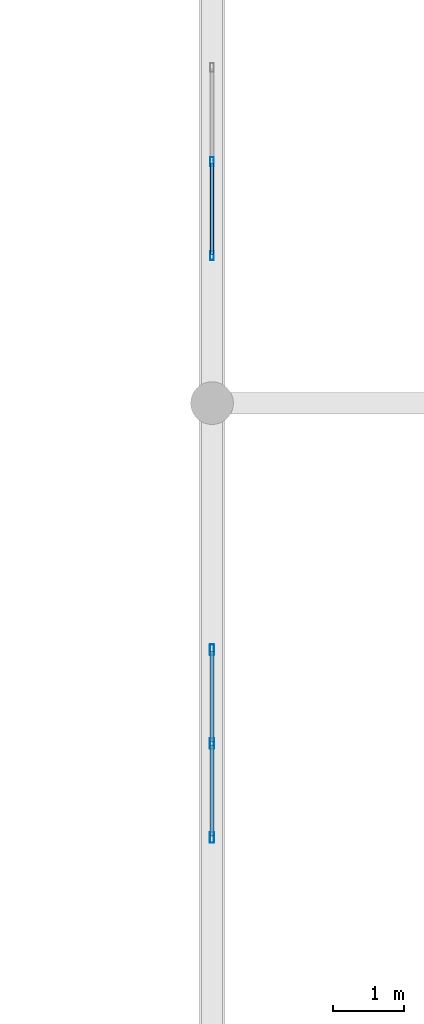
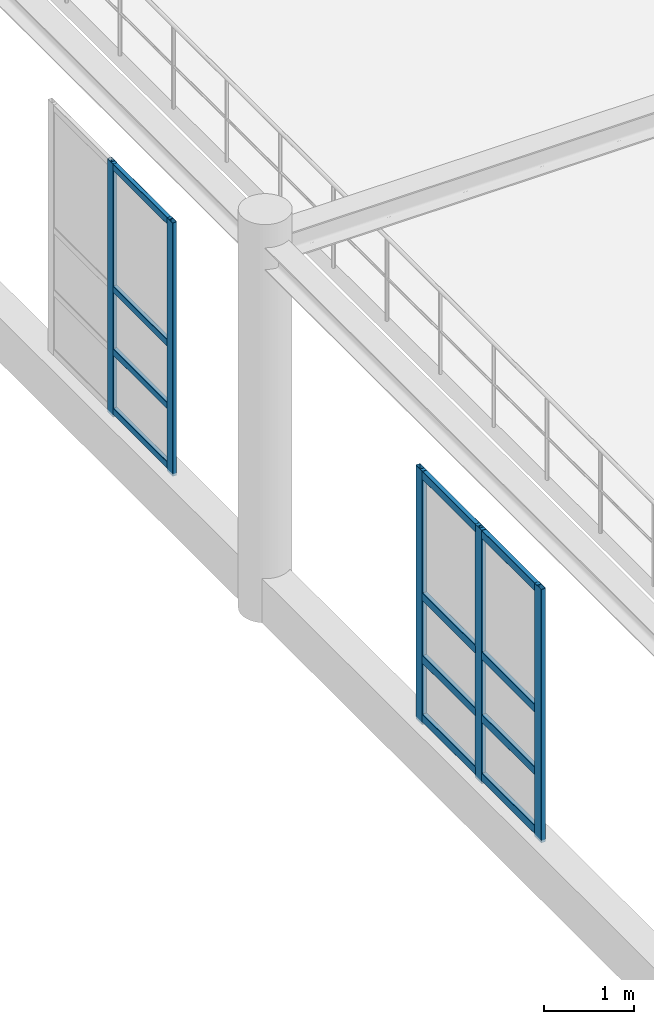
# One storey, part 72 of 197: 17 members, 2 elements without a shape of their own.
"""IFC4 building model written with IfcOpenShell, lengths in metres."""

import ifcopenshell
import ifcopenshell.guid

model = None  # the IFC model being written
_history = None  # IfcOwnerHistory: only IFC2X3 demands one
_inside = {}  # id of a spatial element -> (the spatial element, [elements in it])
_under = {}  # id of a project, library or spatial element -> (it, [spatial elements below it])
_declared = {}  # id of a project -> (the project, [libraries it declares])
_typed = {}  # id of a type object -> (the type object, [elements of that type])
_made_of = {}  # id of a material, layer set ... -> (it, [elements and type objects made of it])


def new_model(schema):
    """Start an empty IFC model of exactly this schema.

    Asked for "IFC4X3", IfcOpenShell would pick the latest addendum, in which some entities
    have other attributes; the version numbers below select the first issue.
    IFC2X3 requires an IfcOwnerHistory on every rooted entity: one is made here for all.
    """
    global model, _history
    if schema == "IFC4X3":
        model = ifcopenshell.file(schema_version=(4, 3, 0, 0))
    else:
        model = ifcopenshell.file(schema=schema)
    _inside.clear()
    _under.clear()
    _declared.clear()
    _typed.clear()
    _made_of.clear()
    _history = None
    if model.schema == "IFC2X3":
        org = make("IfcOrganization", Name="unknown")
        user = make(
            "IfcPersonAndOrganization",
            ThePerson=make("IfcPerson", FamilyName="unknown"),
            TheOrganization=org,
        )
        app = make(
            "IfcApplication",
            ApplicationDeveloper=org,
            Version="unknown",
            ApplicationFullName="unknown",
            ApplicationIdentifier="unknown",
        )
        _history = make(
            "IfcOwnerHistory",
            OwningUser=user,
            OwningApplication=app,
            ChangeAction="ADDED",
            CreationDate=0,
        )
    return model


def make(cls, **values):
    """One entity of the class cls with the attributes given. An attribute that is None is left unset."""
    return model.create_entity(
        cls, **{name: value for name, value in values.items() if value is not None}
    )


def rooted(cls, **values):
    """An entity with a GlobalId (a new one), such as an element, a storey or a relation."""
    return make(cls, GlobalId=ifcopenshell.guid.new(), OwnerHistory=_history, **values)


def si_unit(unit_type, name, prefix=None):
    """IfcSIUnit, for example si_unit("LENGTHUNIT", "METRE", prefix="MILLI")."""
    return make("IfcSIUnit", UnitType=unit_type, Prefix=prefix, Name=name)


def derived_unit(unit_type, elements):
    """IfcDerivedUnit: a product of units, each with its exponent."""
    return make(
        "IfcDerivedUnit",
        Elements=[
            make("IfcDerivedUnitElement", Unit=unit, Exponent=power)
            for unit, power in elements
        ],
        UnitType=unit_type,
    )


def assignment(units):
    """IfcUnitAssignment: the units of a project."""
    return None if units is None else make("IfcUnitAssignment", Units=units)


def point(xyz):
    """IfcCartesianPoint."""
    return None if xyz is None else make("IfcCartesianPoint", Coordinates=xyz)


def direction(xyz):
    """IfcDirection."""
    return None if xyz is None else make("IfcDirection", DirectionRatios=xyz)


def frame(location, z_axis=None, x_axis=None):
    """IfcAxis2Placement3D, a coordinate frame: its origin and axes. An axis left out is left unset."""
    return make(
        "IfcAxis2Placement3D",
        Location=point(location),
        Axis=direction(z_axis),
        RefDirection=direction(x_axis),
    )


def frame_2d(location, x_axis=None):
    """IfcAxis2Placement2D, a coordinate frame in the plane: its origin and x axis."""
    return make(
        "IfcAxis2Placement2D", Location=point(location), RefDirection=direction(x_axis)
    )


def origin():
    """The frame at (0, 0, 0) with its axes left unset."""
    return frame((0.0, 0.0, 0.0))


def origin_2d():
    """The frame at (0, 0) in the plane with its x axis left unset."""
    return frame_2d((0.0, 0.0))


def place(relative_to, where):
    """IfcLocalPlacement: puts the frame where relative to a parent placement (None: the world)."""
    return make(
        "IfcLocalPlacement", PlacementRelTo=relative_to, RelativePlacement=where
    )


def context(
    kind, dimensions, precision=None, world=None, true_north=None, identifier=None
):
    """IfcGeometricRepresentationContext, for example the 3D "Model" context."""
    return make(
        "IfcGeometricRepresentationContext",
        ContextIdentifier=identifier,
        ContextType=kind,
        CoordinateSpaceDimension=dimensions,
        Precision=precision,
        WorldCoordinateSystem=world,
        TrueNorth=true_north,
    )


def subcontext(parent, identifier, kind, view, scale=None):
    """IfcGeometricRepresentationSubContext, for example "Body" below "Model"."""
    return make(
        "IfcGeometricRepresentationSubContext",
        ContextIdentifier=identifier,
        ContextType=kind,
        ParentContext=parent,
        TargetScale=scale,
        TargetView=view,
    )


def project(units=None, contexts=None):
    """IfcProject with its units and contexts."""
    return rooted(
        "IfcProject",
        Name="project",
        RepresentationContexts=contexts,
        UnitsInContext=assignment(units),
    )


def spatial(cls, under=None, at=None, **own):
    """A site, building, storey or space (cls), placed at a placement, below another one or the project."""
    s = rooted(cls, ObjectPlacement=at, **own)
    if under is not None:
        _under.setdefault(under.id(), (under, []))[1].append(s)
    return s


def profile(cls, at=None, kind="AREA", **sizes):
    """A parametric profile (cls). Its sizes go by their IFC names, for example OverallWidth=200.0."""
    return make(cls, ProfileType=kind, Position=at, **sizes)


def hollow_rectangle(**sizes):
    """IfcRectangleHollowProfileDef."""
    return profile("IfcRectangleHollowProfileDef", **sizes)


def extrude(swept, where, along, depth):
    """IfcExtrudedAreaSolid: the profile swept, set in the frame where, extruded along a direction by depth."""
    return make(
        "IfcExtrudedAreaSolid",
        SweptArea=swept,
        Position=where,
        ExtrudedDirection=direction(along),
        Depth=depth,
    )


def shape(context_of_items, identifier, shape_type, items):
    """IfcShapeRepresentation: the items that make up one representation, for example the "Body"."""
    return make(
        "IfcShapeRepresentation",
        ContextOfItems=context_of_items,
        RepresentationIdentifier=identifier,
        RepresentationType=shape_type,
        Items=items,
    )


def material(Name=None, Category=None):
    """IfcMaterial."""
    return make("IfcMaterial", Name=Name, Category=Category)


def layer(
    of_material, thickness, ventilated=None, Name=None, Category=None, Priority=None
):
    """IfcMaterialLayer: one layer of a wall or slab, of a material (None: an air gap)."""
    return make(
        "IfcMaterialLayer",
        Material=of_material,
        LayerThickness=thickness,
        IsVentilated=ventilated,
        Name=Name,
        Category=Category,
        Priority=Priority,
    )


def layer_set(layers, Name=None):
    """IfcMaterialLayerSet."""
    return make("IfcMaterialLayerSet", MaterialLayers=layers, LayerSetName=Name)


def material_profile(
    of_material, cross_section, Name=None, Category=None, Priority=None
):
    """IfcMaterialProfile: a cross section and its material."""
    return make(
        "IfcMaterialProfile",
        Name=Name,
        Material=of_material,
        Profile=cross_section,
        Priority=Priority,
        Category=Category,
    )


def profile_set(profiles, Name=None, composite=None):
    """IfcMaterialProfileSet."""
    return make(
        "IfcMaterialProfileSet",
        Name=Name,
        MaterialProfiles=profiles,
        CompositeProfile=composite,
    )


def made_of(thing, what):
    """Note that an element or type object is made of a material, layer set ...; save() writes the relation."""
    if what is not None:
        _made_of.setdefault(what.id(), (what, []))[1].append(thing)
    return thing


def type_object(cls, material=None, **own):
    """A type object (cls), such as IfcWallType, which elements share."""
    return made_of(rooted(cls, **own), material)


def element(
    cls,
    number,
    at=None,
    inside=None,
    cuts=None,
    type_object=None,
    material=None,
    context=None,
    identifier="Body",
    shape_type=None,
    held_by="IfcProductDefinitionShape",
    body=None,
    shapes=None,
    **own,
):
    """One element of the class cls, such as IfcWall. Its Tag is "e" and its number.

    at: its placement. inside: the storey or other place that contains it. cuts: it is an
    opening in that element (IfcRelVoidsElement). A single representation is given by context,
    identifier, shape_type and body (its items); several are given by shapes. held_by: the class
    of the entity that holds the representations. save() writes the other relations.
    """
    e = rooted(cls, Tag="e%d" % number, ObjectPlacement=at, **own)
    if body is not None:
        shapes = [shape(context, identifier, shape_type, body)]
    if shapes is not None:
        e.Representation = make(held_by, Representations=shapes)
    if inside is not None:
        _inside.setdefault(inside.id(), (inside, []))[1].append(e)
    if cuts is not None:
        rooted(
            "IfcRelVoidsElement", RelatingBuildingElement=cuts, RelatedOpeningElement=e
        )
    if type_object is not None:
        _typed.setdefault(type_object.id(), (type_object, []))[1].append(e)
    return made_of(e, material)


def aggregate(whole, parts):
    """IfcRelAggregates: a whole, such as a stair, and the parts it consists of."""
    return rooted("IfcRelAggregates", RelatingObject=whole, RelatedObjects=parts)


def save(model, path):
    """Write the relations noted so far, then the file.

    IfcRelAggregates (storeys below a building ...), IfcRelContainedInSpatialStructure (elements
    in a storey), IfcRelDefinesByType, IfcRelAssociatesMaterial and IfcRelDeclares: one each for
    every whole, place, type object, material and project.
    """
    for whole, parts in _under.values():
        aggregate(whole, parts)
    for where, things in _inside.values():
        rooted(
            "IfcRelContainedInSpatialStructure",
            RelatedElements=things,
            RelatingStructure=where,
        )
    for kind, things in _typed.values():
        rooted("IfcRelDefinesByType", RelatedObjects=things, RelatingType=kind)
    for what, things in _made_of.values():
        rooted("IfcRelAssociatesMaterial", RelatedObjects=things, RelatingMaterial=what)
    for by, libraries in _declared.values():
        rooted("IfcRelDeclares", RelatingContext=by, RelatedDefinitions=libraries)
    model.write(path)


model = new_model("IFC4")

# Units and contexts
model_context = context("Model", 3, precision=1e-05, world=origin(), true_north=direction((0.0, 1.0)))
body_context = subcontext(model_context, "Body", "Model", "MODEL_VIEW")
ifc_project = project(units=[si_unit("LENGTHUNIT", "METRE"), si_unit("AREAUNIT", "SQUARE_METRE"), si_unit("VOLUMEUNIT", "CUBIC_METRE"), si_unit("PLANEANGLEUNIT", "RADIAN"), si_unit("MASSUNIT", "GRAM", prefix="KILO"), derived_unit("THERMALTRANSMITTANCEUNIT", [(si_unit("POWERUNIT", "WATT"), 1), (si_unit("LENGTHUNIT", "METRE"), -2), (si_unit("THERMODYNAMICTEMPERATUREUNIT", "KELVIN"), -1)])], contexts=[model_context])

# Site, building, storey
site_placement = place(None, origin())
site = spatial("IfcSite", under=ifc_project, at=site_placement, CompositionType="ELEMENT")
building_placement = place(site_placement, origin())
building = spatial("IfcBuilding", under=site, at=building_placement, Name="Almenara Railside Exhibition Hall", CompositionType="ELEMENT")
storey_placement = place(building_placement, frame((0.0, 0.0, 5.39990234375)))
storey = spatial("IfcBuildingStorey", under=building, at=storey_placement, Name="L01", CompositionType="ELEMENT", Elevation=5.39990234375)

# Curtain wall, members
ifc_material_1 = material(Name="Bronze-anodised aluminium and low-E double glazing", Category="aluminium")
ifc_layer = layer(ifc_material_1, 0.179931640625, Name="Bronze-anodised aluminium and low-E double glazing")
ifc_layer_set = layer_set([ifc_layer], Name="Bronze-anodised aluminium and low-E double glazing")
curtain_wall_type = type_object("IfcCurtainWallType", Name="Courtyard South Galeria Curtain Wall 2700x3400", PredefinedType="NOTDEFINED", material=ifc_layer_set)
curtain_wall_1_placement = place(storey_placement, origin())
curtain_wall_1 = element("IfcCurtainWall", 1, at=curtain_wall_1_placement, inside=storey, type_object=curtain_wall_type, Name="Curtain wall CW-CY3-150", PredefinedType="NOTDEFINED")
ifc_material_2 = material(Name="Bronze-anodised aluminium", Category="aluminium")
ifc_material_profile_1 = material_profile(ifc_material_2, hollow_rectangle(XDim=0.054931640625, YDim=0.125, WallThickness=0.0029296875, InnerFilletRadius=0.0029296875, OuterFilletRadius=0.006103515625, at=origin_2d()), Name="ALU-MUL 55x125x3")
ifc_profile_set_1 = profile_set([ifc_material_profile_1], Name="Bronze-anodised aluminium")
member_type_1 = type_object("IfcMemberType", Name="Curtain Wall Mullion 55x125x3", PredefinedType="MULLION", material=ifc_profile_set_1)
member_1_placement = place(storey_placement, frame((120.0, 74.072998046875, 0.565185546875), z_axis=(0.0, 0.0, 1.0), x_axis=(-1.0, 0.0, 0.0)))
member_1 = element("IfcMember", 2, at=member_1_placement, type_object=member_type_1, Name="CW-CY3-150 mullion 1", PredefinedType="MULLION", context=body_context, shape_type="SweptSolid", body=[
    extrude(hollow_rectangle(XDim=0.054931640625, YDim=0.125, WallThickness=0.0029296875, InnerFilletRadius=0.0029296875, OuterFilletRadius=0.006103515625, at=origin_2d()), origin(), (0.0, 0.0, 1.0), 3.434814453125),
])
member_2_placement = place(storey_placement, frame((120.0, 75.3955078125, 0.565185546875), z_axis=(0.0, 0.0, 1.0), x_axis=(-1.0, 0.0, 0.0)))
member_2 = element("IfcMember", 3, at=member_2_placement, type_object=member_type_1, Name="CW-CY3-150 mullion 2", PredefinedType="MULLION", context=body_context, shape_type="SweptSolid", body=[
    extrude(hollow_rectangle(XDim=0.054931640625, YDim=0.125, WallThickness=0.0029296875, InnerFilletRadius=0.0029296875, OuterFilletRadius=0.006103515625, at=origin_2d()), origin(), (0.0, 0.0, 1.0), 3.434814453125),
])

curtain_wall_2_placement = place(storey_placement, origin())
curtain_wall_2 = element("IfcCurtainWall", 4, at=curtain_wall_2_placement, inside=storey, type_object=curtain_wall_type, Name="Curtain wall CW-CY3-149", PredefinedType="NOTDEFINED")
ifc_material_profile_2 = material_profile(ifc_material_2, hollow_rectangle(XDim=0.06005859375, YDim=0.14990234375, WallThickness=0.00341796875, InnerFilletRadius=0.00341796875, OuterFilletRadius=0.007080078125, at=origin_2d()), Name="ALU-MUL 60x150x3.5")
ifc_profile_set_2 = profile_set([ifc_material_profile_2], Name="Bronze-anodised aluminium")
member_type_2 = type_object("IfcMemberType", Name="Curtain Wall Mullion 60x150x3.5", PredefinedType="MULLION", material=ifc_profile_set_2)
member_3_placement = place(storey_placement, frame((120.0, 65.8935546875, 0.565185546875), z_axis=(0.0, 0.0, 1.0), x_axis=(-1.0, 0.0, 0.0)))
member_3 = element("IfcMember", 5, at=member_3_placement, type_object=member_type_2, Name="CW-CY3-149 mullion 1", PredefinedType="MULLION", context=body_context, shape_type="SweptSolid", body=[
    extrude(hollow_rectangle(XDim=0.06005859375, YDim=0.14990234375, WallThickness=0.00341796875, InnerFilletRadius=0.00341796875, OuterFilletRadius=0.007080078125, at=origin_2d()), origin(), (0.0, 0.0, 1.0), 3.434814453125),
])
member_4_placement = place(storey_placement, frame((120.0, 67.213623046875, 0.565185546875), z_axis=(0.0, 0.0, 1.0), x_axis=(-1.0, 0.0, 0.0)))
member_4 = element("IfcMember", 6, at=member_4_placement, type_object=member_type_2, Name="CW-CY3-149 mullion 2", PredefinedType="MULLION", context=body_context, shape_type="SweptSolid", body=[
    extrude(hollow_rectangle(XDim=0.06005859375, YDim=0.14990234375, WallThickness=0.00341796875, InnerFilletRadius=0.00341796875, OuterFilletRadius=0.007080078125, at=origin_2d()), origin(), (0.0, 0.0, 1.0), 3.434814453125),
])
member_5_placement = place(storey_placement, frame((120.0, 68.53369140625, 0.565185546875), z_axis=(0.0, 0.0, 1.0), x_axis=(-1.0, 0.0, 0.0)))
member_5 = element("IfcMember", 7, at=member_5_placement, type_object=member_type_2, Name="CW-CY3-149 mullion 3", PredefinedType="MULLION", context=body_context, shape_type="SweptSolid", body=[
    extrude(hollow_rectangle(XDim=0.06005859375, YDim=0.14990234375, WallThickness=0.00341796875, InnerFilletRadius=0.00341796875, OuterFilletRadius=0.007080078125, at=origin_2d()), origin(), (0.0, 0.0, 1.0), 3.434814453125),
])

# Member
ifc_material_profile_3 = material_profile(ifc_material_2, hollow_rectangle(XDim=0.054931640625, YDim=0.090087890625, WallThickness=0.0029296875, InnerFilletRadius=0.0029296875, OuterFilletRadius=0.006103515625, at=origin_2d()), Name="ALU-TRN 55x90x3")
ifc_profile_set_3 = profile_set([ifc_material_profile_3], Name="Bronze-anodised aluminium")
member_type_3 = type_object("IfcMemberType", Name="Curtain Wall Transom 55x90x3", PredefinedType="USERDEFINED", material=ifc_profile_set_3)
member_6_placement = place(storey_placement, frame((120.0, 74.092529296875, 0.64501953125), z_axis=(0.0, 1.0, 0.0), x_axis=(-1.0, 0.0, 0.0)))
member_6 = element("IfcMember", 8, at=member_6_placement, type_object=member_type_3, Name="CW-CY3-150 transom 1.1", ObjectType="TRANSOM", PredefinedType="USERDEFINED", context=body_context, shape_type="SweptSolid", body=[
    extrude(hollow_rectangle(XDim=0.054931640625, YDim=0.090087890625, WallThickness=0.0029296875, InnerFilletRadius=0.0029296875, OuterFilletRadius=0.006103515625, at=origin_2d()), origin(), (0.0, 0.0, 1.0), 1.283447265625),
])

member_7_placement = place(storey_placement, frame((120.0, 74.092529296875, 1.4501953125), z_axis=(0.0, 1.0, 0.0), x_axis=(-1.0, 0.0, 0.0)))
member_7 = element("IfcMember", 9, at=member_7_placement, type_object=member_type_3, Name="CW-CY3-150 transom 1.2", ObjectType="TRANSOM", PredefinedType="USERDEFINED", context=body_context, shape_type="SweptSolid", body=[
    extrude(hollow_rectangle(XDim=0.054931640625, YDim=0.090087890625, WallThickness=0.0029296875, InnerFilletRadius=0.0029296875, OuterFilletRadius=0.006103515625, at=origin_2d()), origin(), (0.0, 0.0, 1.0), 1.283447265625),
])

member_8_placement = place(storey_placement, frame((120.0, 74.092529296875, 2.300048828125), z_axis=(0.0, 1.0, 0.0), x_axis=(-1.0, 0.0, 0.0)))
member_8 = element("IfcMember", 10, at=member_8_placement, type_object=member_type_3, Name="CW-CY3-150 transom 1.3", ObjectType="TRANSOM", PredefinedType="USERDEFINED", context=body_context, shape_type="SweptSolid", body=[
    extrude(hollow_rectangle(XDim=0.054931640625, YDim=0.090087890625, WallThickness=0.0029296875, InnerFilletRadius=0.0029296875, OuterFilletRadius=0.006103515625, at=origin_2d()), origin(), (0.0, 0.0, 1.0), 1.283447265625),
])

member_9_placement = place(storey_placement, frame((120.0, 74.092529296875, 3.955078125), z_axis=(0.0, 1.0, 0.0), x_axis=(-1.0, 0.0, 0.0)))
member_9 = element("IfcMember", 11, at=member_9_placement, type_object=member_type_3, Name="CW-CY3-150 transom 1.4", ObjectType="TRANSOM", PredefinedType="USERDEFINED", context=body_context, shape_type="SweptSolid", body=[
    extrude(hollow_rectangle(XDim=0.054931640625, YDim=0.090087890625, WallThickness=0.0029296875, InnerFilletRadius=0.0029296875, OuterFilletRadius=0.006103515625, at=origin_2d()), origin(), (0.0, 0.0, 1.0), 1.283447265625),
])

aggregate(curtain_wall_1, [member_1, member_2, member_6, member_7, member_8, member_9])

ifc_material_profile_4 = material_profile(ifc_material_2, hollow_rectangle(XDim=0.06005859375, YDim=0.110107421875, WallThickness=0.0029296875, InnerFilletRadius=0.0029296875, OuterFilletRadius=0.006103515625, at=origin_2d()), Name="ALU-TRN 60x110x3")
ifc_profile_set_4 = profile_set([ifc_material_profile_4], Name="Bronze-anodised aluminium")
member_type_4 = type_object("IfcMemberType", Name="Curtain Wall Transom 60x110x3", PredefinedType="USERDEFINED", material=ifc_profile_set_4)
member_10_placement = place(storey_placement, frame((120.0, 65.91552734375, 0.655029296875), z_axis=(0.0, 1.0, 0.0), x_axis=(-1.0, 0.0, 0.0)))
member_10 = element("IfcMember", 12, at=member_10_placement, type_object=member_type_4, Name="CW-CY3-149 transom 1.1", ObjectType="TRANSOM", PredefinedType="USERDEFINED", context=body_context, shape_type="SweptSolid", body=[
    extrude(hollow_rectangle(XDim=0.06005859375, YDim=0.110107421875, WallThickness=0.0029296875, InnerFilletRadius=0.0029296875, OuterFilletRadius=0.006103515625, at=origin_2d()), origin(), (0.0, 0.0, 1.0), 1.276123046875),
])

member_11_placement = place(storey_placement, frame((120.0, 65.91552734375, 1.4501953125), z_axis=(0.0, 1.0, 0.0), x_axis=(-1.0, 0.0, 0.0)))
member_11 = element("IfcMember", 13, at=member_11_placement, type_object=member_type_4, Name="CW-CY3-149 transom 1.2", ObjectType="TRANSOM", PredefinedType="USERDEFINED", context=body_context, shape_type="SweptSolid", body=[
    extrude(hollow_rectangle(XDim=0.06005859375, YDim=0.110107421875, WallThickness=0.0029296875, InnerFilletRadius=0.0029296875, OuterFilletRadius=0.006103515625, at=origin_2d()), origin(), (0.0, 0.0, 1.0), 1.276123046875),
])

member_12_placement = place(storey_placement, frame((120.0, 65.91552734375, 2.300048828125), z_axis=(0.0, 1.0, 0.0), x_axis=(-1.0, 0.0, 0.0)))
member_12 = element("IfcMember", 14, at=member_12_placement, type_object=member_type_4, Name="CW-CY3-149 transom 1.3", ObjectType="TRANSOM", PredefinedType="USERDEFINED", context=body_context, shape_type="SweptSolid", body=[
    extrude(hollow_rectangle(XDim=0.06005859375, YDim=0.110107421875, WallThickness=0.0029296875, InnerFilletRadius=0.0029296875, OuterFilletRadius=0.006103515625, at=origin_2d()), origin(), (0.0, 0.0, 1.0), 1.276123046875),
])

member_13_placement = place(storey_placement, frame((120.0, 65.91552734375, 3.945068359375), z_axis=(0.0, 1.0, 0.0), x_axis=(-1.0, 0.0, 0.0)))
member_13 = element("IfcMember", 15, at=member_13_placement, type_object=member_type_4, Name="CW-CY3-149 transom 1.4", ObjectType="TRANSOM", PredefinedType="USERDEFINED", context=body_context, shape_type="SweptSolid", body=[
    extrude(hollow_rectangle(XDim=0.06005859375, YDim=0.110107421875, WallThickness=0.0029296875, InnerFilletRadius=0.0029296875, OuterFilletRadius=0.006103515625, at=origin_2d()), origin(), (0.0, 0.0, 1.0), 1.276123046875),
])

member_14_placement = place(storey_placement, frame((120.0, 67.235595703125, 0.655029296875), z_axis=(0.0, 1.0, 0.0), x_axis=(-1.0, 0.0, 0.0)))
member_14 = element("IfcMember", 16, at=member_14_placement, type_object=member_type_4, Name="CW-CY3-149 transom 2.1", ObjectType="TRANSOM", PredefinedType="USERDEFINED", context=body_context, shape_type="SweptSolid", body=[
    extrude(hollow_rectangle(XDim=0.06005859375, YDim=0.110107421875, WallThickness=0.0029296875, InnerFilletRadius=0.0029296875, OuterFilletRadius=0.006103515625, at=origin_2d()), origin(), (0.0, 0.0, 1.0), 1.276123046875),
])

member_15_placement = place(storey_placement, frame((120.0, 67.235595703125, 1.4501953125), z_axis=(0.0, 1.0, 0.0), x_axis=(-1.0, 0.0, 0.0)))
member_15 = element("IfcMember", 17, at=member_15_placement, type_object=member_type_4, Name="CW-CY3-149 transom 2.2", ObjectType="TRANSOM", PredefinedType="USERDEFINED", context=body_context, shape_type="SweptSolid", body=[
    extrude(hollow_rectangle(XDim=0.06005859375, YDim=0.110107421875, WallThickness=0.0029296875, InnerFilletRadius=0.0029296875, OuterFilletRadius=0.006103515625, at=origin_2d()), origin(), (0.0, 0.0, 1.0), 1.276123046875),
])

member_16_placement = place(storey_placement, frame((120.0, 67.235595703125, 2.300048828125), z_axis=(0.0, 1.0, 0.0), x_axis=(-1.0, 0.0, 0.0)))
member_16 = element("IfcMember", 18, at=member_16_placement, type_object=member_type_4, Name="CW-CY3-149 transom 2.3", ObjectType="TRANSOM", PredefinedType="USERDEFINED", context=body_context, shape_type="SweptSolid", body=[
    extrude(hollow_rectangle(XDim=0.06005859375, YDim=0.110107421875, WallThickness=0.0029296875, InnerFilletRadius=0.0029296875, OuterFilletRadius=0.006103515625, at=origin_2d()), origin(), (0.0, 0.0, 1.0), 1.276123046875),
])

member_17_placement = place(storey_placement, frame((120.0, 67.235595703125, 3.945068359375), z_axis=(0.0, 1.0, 0.0), x_axis=(-1.0, 0.0, 0.0)))
member_17 = element("IfcMember", 19, at=member_17_placement, type_object=member_type_4, Name="CW-CY3-149 transom 2.4", ObjectType="TRANSOM", PredefinedType="USERDEFINED", context=body_context, shape_type="SweptSolid", body=[
    extrude(hollow_rectangle(XDim=0.06005859375, YDim=0.110107421875, WallThickness=0.0029296875, InnerFilletRadius=0.0029296875, OuterFilletRadius=0.006103515625, at=origin_2d()), origin(), (0.0, 0.0, 1.0), 1.276123046875),
])

aggregate(curtain_wall_2, [member_3, member_4, member_5, member_10, member_11, member_12, member_13, member_14, member_15, member_16, member_17])

save(model, "model.ifc")
